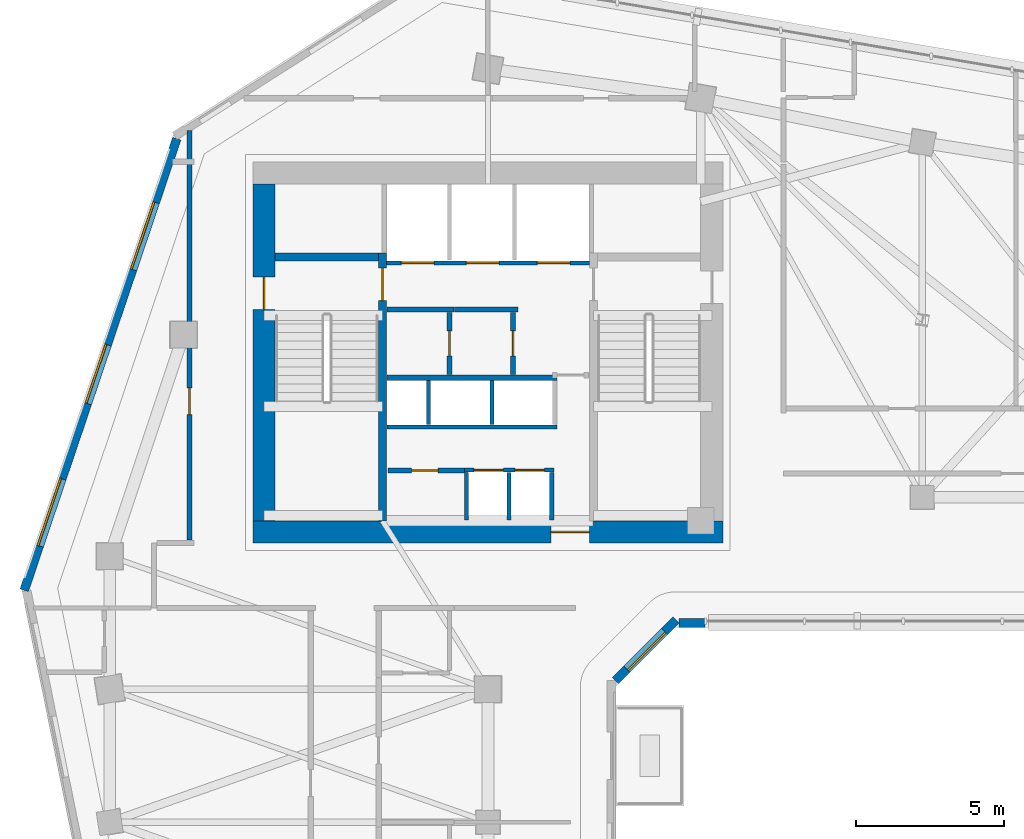
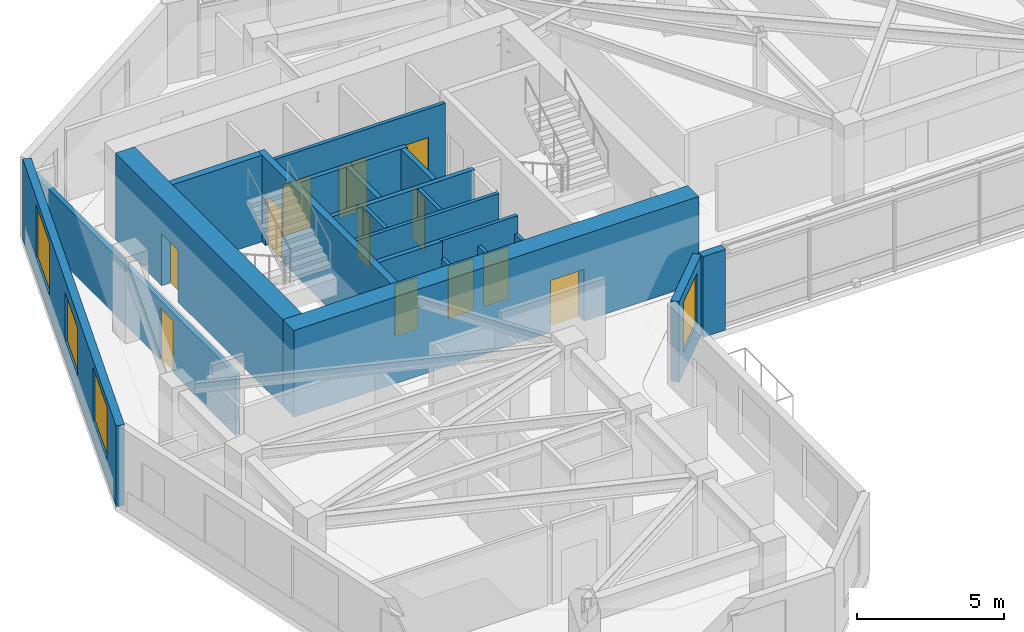
# One storey, part 5 of 10: 22 walls, 12 doors, 4 windows, 16 openings.
"""IFC4 building model written with IfcOpenShell, lengths in metres."""

from ifc_helpers import new_model, si_unit, direction, frame, frame_2d, origin, place, context, subcontext, project, spatial, rectangle, extrude, source, transform, mapped, material, layer, layer_set, type_object, element, fill, save


model = new_model("IFC4")

# Units and contexts
model_context = context("Model", 3, precision=1e-05, world=origin(), true_north=direction((0.0, 1.0)))
body_context = subcontext(model_context, "Body", "Model", "MODEL_VIEW")
ifc_project = project(units=[si_unit("LENGTHUNIT", "METRE"), si_unit("AREAUNIT", "SQUARE_METRE"), si_unit("VOLUMEUNIT", "CUBIC_METRE"), si_unit("PLANEANGLEUNIT", "RADIAN"), si_unit("MASSUNIT", "GRAM", prefix="KILO")], contexts=[model_context])

# Site, building, storey
site_placement = place(None, origin())
site = spatial("IfcSite", under=ifc_project, at=site_placement, CompositionType="ELEMENT")
building_placement = place(site_placement, origin())
building = spatial("IfcBuilding", under=site, at=building_placement, Name="Calvemar Wedge Station Tower", CompositionType="ELEMENT")
storey_placement = place(building_placement, frame((0.0, 0.0, 146.60009765625)))
storey = spatial("IfcBuildingStorey", under=building, at=storey_placement, Name="L36", CompositionType="ELEMENT", Elevation=146.60009765625)

# Wall, opening, door
ifc_material_1 = material(Name="Concrete C50", Category="concrete")
ifc_layer_1 = layer(ifc_material_1, 0.260009765625)
ifc_layer_set_1 = layer_set([ifc_layer_1], Name="Concrete C50")
wall_type_1 = type_object("IfcWallType", Name="SW-CORE-260", PredefinedType="SHEAR", material=ifc_layer_set_1)
wall_1_placement = place(storey_placement, frame((20.22998046875, 34.199951171875, 0.0), z_axis=(0.0, 0.0, 1.0), x_axis=(0.0, 1.0, 0.0)))
wall_1 = element("IfcWall", 1, at=wall_1_placement, inside=storey, type_object=wall_type_1, Name="Storey L36 Core Shear Wall SPINE-W", PredefinedType="SHEAR", context=body_context, shape_type="SweptSolid", body=[
    extrude(rectangle(XDim=9.06005859375, YDim=0.260009765625, at=frame_2d((4.530029296875, 0.0))), origin(), (0.0, 0.0, 1.0), 3.599853515625),
])
shared_shape_1 = source(origin(), body_context, "Body", "SweptSolid", [
    extrude(rectangle(XDim=1.10009765625, YDim=2.14990234375, at=frame_2d((0.550048828125, 1.074951171875))), frame((0.0, 0.14013671875, 0.0), z_axis=(0.0, -1.0, 0.0), x_axis=(1.0, 0.0, 0.0)), (0.0, 0.0, 1.0), 0.280029296875),
])
opening_1_placement = place(wall_1_placement, frame((7.449951171875, 0.0, 0.0)))
opening_1 = element("IfcOpeningElement", 2, at=opening_1_placement, cuts=wall_1, Name="Opening FD-90", PredefinedType="OPENING", context=body_context, shape_type="MappedRepresentation", body=[
    mapped(shared_shape_1, transform((0.0, 0.0, 0.0), scale=1.0)),
])
ifc_material_2 = material(Name="Galvanized fire-rated steel door leaf P-90", Category="steel")
door_type_1 = type_object("IfcDoorType", Name="DR-FD90-1100", OperationType="NOTDEFINED", PredefinedType="DOOR", material=ifc_material_2)
shared_shape_2 = source(origin(), body_context, "Body", "SweptSolid", [
    extrude(rectangle(XDim=1.10009765625, YDim=2.14990234375, at=frame_2d((0.550048828125, 1.074951171875))), frame((0.0, 0.02490234375, 0.0), z_axis=(0.0, -1.0, 0.0), x_axis=(1.0, 0.0, 0.0)), (0.0, 0.0, 1.0), 0.050048828125),
])
door_1_placement = place(opening_1_placement, origin())
door_1 = element("IfcDoor", 3, at=door_1_placement, inside=storey, type_object=door_type_1, Name="L36 FF Lobby to Stair ST-C1 Door", OperationType="SINGLE_SWING_RIGHT", OverallHeight=2.14990234375, OverallWidth=1.10009765625, PredefinedType="DOOR", context=body_context, shape_type="MappedRepresentation", body=[
    mapped(shared_shape_2, transform((0.0, 0.0, 0.0), scale=1.0)),
])
fill(opening_1, door_1)

# Wall
wall_2_placement = place(storey_placement, frame((16.60009765625, 43.1298828125, 0.0), z_axis=(0.0, 0.0, 1.0), x_axis=(1.0, 0.0, 0.0)))
element("IfcWall", 4, at=wall_2_placement, inside=storey, type_object=wall_type_1, Name="Storey L36 Core Shear Wall STC1-N", PredefinedType="SHEAR", context=body_context, shape_type="SweptSolid", body=[
    extrude(rectangle(XDim=3.5, YDim=0.260009765625, at=frame_2d((1.75, 0.0))), origin(), (0.0, 0.0, 1.0), 3.599853515625),
])

# Wall, opening, door
ifc_material_3 = material(Name="Concrete C70", Category="concrete")
ifc_layer_2 = layer(ifc_material_3, 0.75)
ifc_layer_set_2 = layer_set([ifc_layer_2], Name="Concrete C70")
wall_type_2 = type_object("IfcWallType", Name="SW-CORE-750", PredefinedType="SHEAR", material=ifc_layer_set_2)
wall_3_placement = place(storey_placement, frame((15.85009765625, 33.824951171875, 0.0), z_axis=(0.0, 0.0, 1.0), x_axis=(1.0, 0.0, 0.0)))
wall_3 = element("IfcWall", 5, at=wall_3_placement, inside=storey, type_object=wall_type_2, Name="Storey L36 Core Shear Wall S", PredefinedType="SHEAR", context=body_context, shape_type="SweptSolid", body=[
    extrude(rectangle(XDim=15.89990234375, YDim=0.75, at=frame_2d((7.949951171875, 0.0))), origin(), (0.0, 0.0, 1.0), 3.599853515625),
])
shared_shape_3 = source(origin(), body_context, "Body", "SweptSolid", [
    extrude(rectangle(XDim=1.300048828125, YDim=2.14990234375, at=frame_2d((0.64990234375, 1.074951171875))), frame((0.0, 0.385009765625, 0.0), z_axis=(0.0, -1.0, 0.0), x_axis=(1.0, 0.0, 0.0)), (0.0, 0.0, 1.0), 0.77001953125),
])
opening_2_placement = place(wall_3_placement, frame((10.080078125, 0.0, 0.0)))
opening_2 = element("IfcOpeningElement", 6, at=opening_2_placement, cuts=wall_3, Name="Opening DD-130", PredefinedType="OPENING", context=body_context, shape_type="MappedRepresentation", body=[
    mapped(shared_shape_3, transform((0.0, 0.0, 0.0), scale=1.0)),
])
ifc_material_4 = material(Name="Double-leaf lift lobby fire door EI 60")
door_type_2 = type_object("IfcDoorType", Name="DR-DBL-1300", OperationType="DOUBLE_DOOR_SINGLE_SWING", PredefinedType="DOOR", material=ifc_material_4)
shared_shape_4 = source(origin(), body_context, "Body", "SweptSolid", [
    extrude(rectangle(XDim=1.300048828125, YDim=2.14990234375, at=frame_2d((0.64990234375, 1.074951171875))), frame((0.0, 0.02490234375, 0.0), z_axis=(0.0, -1.0, 0.0), x_axis=(1.0, 0.0, 0.0)), (0.0, 0.0, 1.0), 0.050048828125),
])
door_2_placement = place(opening_2_placement, origin())
door_2 = element("IfcDoor", 7, at=door_2_placement, inside=storey, type_object=door_type_2, Name="L36 Passenger Lift Lobby Door", OperationType="DOUBLE_DOOR_SINGLE_SWING", OverallHeight=2.14990234375, OverallWidth=1.300048828125, PredefinedType="DOOR", context=body_context, shape_type="MappedRepresentation", body=[
    mapped(shared_shape_4, transform((0.0, 0.0, 0.0), scale=1.0)),
])
fill(opening_2, door_2)

wall_4_placement = place(storey_placement, frame((16.22509765625, 34.199951171875, 0.0), z_axis=(0.0, 0.0, 1.0), x_axis=(0.0, 1.0, 0.0)))
wall_4 = element("IfcWall", 8, at=wall_4_placement, inside=storey, type_object=wall_type_2, Name="Storey L36 Core Shear Wall W", PredefinedType="SHEAR", context=body_context, shape_type="SweptSolid", body=[
    extrude(rectangle(XDim=11.400146484375, YDim=0.75, at=frame_2d((5.7001953125, 0.0))), origin(), (0.0, 0.0, 1.0), 3.599853515625),
])
shared_shape_5 = source(origin(), body_context, "Body", "SweptSolid", [
    extrude(rectangle(XDim=1.10009765625, YDim=2.14990234375, at=frame_2d((0.550048828125, 1.074951171875))), frame((0.0, 0.385009765625, 0.0), z_axis=(0.0, -1.0, 0.0), x_axis=(1.0, 0.0, 0.0)), (0.0, 0.0, 1.0), 0.77001953125),
])
opening_3_placement = place(wall_4_placement, frame((7.14990234375, 0.0, 0.0)))
opening_3 = element("IfcOpeningElement", 9, at=opening_3_placement, cuts=wall_4, Name="Opening FD-90", PredefinedType="OPENING", context=body_context, shape_type="MappedRepresentation", body=[
    mapped(shared_shape_5, transform((0.0, 0.0, 0.0), scale=1.0)),
])
door_3_placement = place(opening_3_placement, origin())
door_3 = element("IfcDoor", 10, at=door_3_placement, inside=storey, type_object=door_type_1, Name="L36 West Corridor to Exit Stair ST-C1 Door", OperationType="SINGLE_SWING_RIGHT", OverallHeight=2.14990234375, OverallWidth=1.10009765625, PredefinedType="DOOR", context=body_context, shape_type="MappedRepresentation", body=[
    mapped(shared_shape_2, transform((0.0, 0.0, 0.0), scale=1.0)),
])
fill(opening_3, door_3)

# Walls
ifc_material_5 = material(Name="Double-stud fire-rated corridor partition")
ifc_layer_3 = layer(ifc_material_5, 0.179931640625)
ifc_layer_set_3 = layer_set([ifc_layer_3], Name="Double-stud fire-rated corridor partition")
wall_type_3 = type_object("IfcWallType", Name="W-CORR-180", PredefinedType="PARTITIONING", material=ifc_layer_set_3)
wall_5_placement = place(storey_placement, frame((22.659912109375, 41.35009765625, 0.0), z_axis=(0.0, 0.0, 1.0), x_axis=(-1.0, 0.0, 0.0)))
element("IfcWall", 11, at=wall_5_placement, inside=storey, type_object=wall_type_3, Name="Storey L36 Interior Partition WL-L36-001", PredefinedType="PARTITIONING", context=body_context, shape_type="SweptSolid", body=[
    extrude(rectangle(XDim=2.280029296875, YDim=0.179931640625, at=frame_2d((1.14013671875, 0.0))), origin(), (0.0, 0.0, 1.0), 3.349853515625),
])
wall_6_placement = place(storey_placement, frame((24.81005859375, 41.35009765625, 0.0), z_axis=(0.0, 0.0, 1.0), x_axis=(-1.0, 0.0, 0.0)))
element("IfcWall", 12, at=wall_6_placement, inside=storey, type_object=wall_type_3, Name="Storey L36 Interior Partition WL-L36-002", PredefinedType="PARTITIONING", context=body_context, shape_type="SweptSolid", body=[
    extrude(rectangle(XDim=2.14794921875, YDim=0.179931640625, at=frame_2d((1.073974609375, 0.0))), origin(), (0.0, 0.0, 1.0), 3.349853515625),
])

# Wall, opening, door
wall_7_placement = place(storey_placement, frame((22.5, 41.256103515625, 0.0), z_axis=(0.0, 0.0, 1.0), x_axis=(0.0, -1.0, 0.0)))
wall_7 = element("IfcWall", 13, at=wall_7_placement, inside=storey, type_object=wall_type_3, Name="Storey L36 Interior Partition WL-L36-003", PredefinedType="PARTITIONING", context=body_context, shape_type="SweptSolid", body=[
    extrude(rectangle(XDim=2.106201171875, YDim=0.179931640625, at=frame_2d((1.05322265625, 0.0))), origin(), (0.0, 0.0, 1.0), 3.349853515625),
])
shared_shape_6 = source(origin(), body_context, "Body", "SweptSolid", [
    extrude(rectangle(XDim=0.85009765625, YDim=2.14990234375, at=frame_2d((0.425048828125, 1.074951171875))), frame((0.0, 0.10009765625, 0.0), z_axis=(0.0, -1.0, 0.0), x_axis=(1.0, 0.0, 0.0)), (0.0, 0.0, 1.0), 0.199951171875),
])
opening_4_placement = place(wall_7_placement, frame((0.6279296875, 0.0, 0.0)))
opening_4 = element("IfcOpeningElement", 14, at=opening_4_placement, cuts=wall_7, Name="Opening FD-60S", PredefinedType="OPENING", context=body_context, shape_type="MappedRepresentation", body=[
    mapped(shared_shape_6, transform((0.0, 0.0, 0.0), scale=1.0)),
])
ifc_material_6 = material(Name="Fire-rated steel and hardwood service door EI 60", Category="steel")
door_type_3 = type_object("IfcDoorType", Name="DR-CORE-FD60-850", OperationType="NOTDEFINED", PredefinedType="DOOR", material=ifc_material_6)
shared_shape_7 = source(origin(), body_context, "Body", "SweptSolid", [
    extrude(rectangle(XDim=0.85009765625, YDim=2.14990234375, at=frame_2d((0.425048828125, 1.074951171875))), frame((0.0, 0.02490234375, 0.0), z_axis=(0.0, -1.0, 0.0), x_axis=(1.0, 0.0, 0.0)), (0.0, 0.0, 1.0), 0.050048828125),
])
door_4_placement = place(opening_4_placement, origin())
door_4 = element("IfcDoor", 15, at=door_4_placement, inside=storey, type_object=door_type_3, Name="L36 IT and Telecoms Room Door", OperationType="SINGLE_SWING_RIGHT", OverallHeight=2.14990234375, OverallWidth=0.85009765625, PredefinedType="DOOR", context=body_context, shape_type="MappedRepresentation", body=[
    mapped(shared_shape_7, transform((0.0, 0.0, 0.0), scale=1.0)),
])
fill(opening_4, door_4)

wall_8_placement = place(storey_placement, frame((24.64990234375, 41.256103515625, 0.0), z_axis=(0.0, 0.0, 1.0), x_axis=(0.0, -1.0, 0.0)))
wall_8 = element("IfcWall", 16, at=wall_8_placement, inside=storey, type_object=wall_type_3, Name="Storey L36 Interior Partition WL-L36-004", PredefinedType="PARTITIONING", context=body_context, shape_type="SweptSolid", body=[
    extrude(rectangle(XDim=2.106201171875, YDim=0.179931640625, at=frame_2d((1.05322265625, 0.0))), origin(), (0.0, 0.0, 1.0), 3.349853515625),
])
opening_5_placement = place(wall_8_placement, frame((0.6279296875, 0.0, 0.0)))
opening_5 = element("IfcOpeningElement", 17, at=opening_5_placement, cuts=wall_8, Name="Opening FD-60S", PredefinedType="OPENING", context=body_context, shape_type="MappedRepresentation", body=[
    mapped(shared_shape_6, transform((0.0, 0.0, 0.0), scale=1.0)),
])
door_5_placement = place(opening_5_placement, origin())
door_5 = element("IfcDoor", 18, at=door_5_placement, inside=storey, type_object=door_type_3, Name="L36 Core Equipment Store Door", OperationType="SINGLE_SWING_LEFT", OverallHeight=2.14990234375, OverallWidth=0.85009765625, PredefinedType="DOOR", context=body_context, shape_type="MappedRepresentation", body=[
    mapped(shared_shape_7, transform((0.0, 0.0, 0.0), scale=1.0)),
])
fill(opening_5, door_5)

wall_9_placement = place(storey_placement, frame((20.419921875, 35.89990234375, 0.0), z_axis=(0.0, 0.0, 1.0), x_axis=(1.0, 0.0, 0.0)))
wall_9 = element("IfcWall", 19, at=wall_9_placement, inside=storey, type_object=wall_type_3, Name="Storey L36 Interior Partition WL-L36-006", PredefinedType="PARTITIONING", context=body_context, shape_type="SweptSolid", body=[
    extrude(rectangle(XDim=2.6201171875, YDim=0.179931640625, at=frame_2d((1.31005859375, 0.0))), origin(), (0.0, 0.0, 1.0), 3.349853515625),
])
shared_shape_8 = source(origin(), body_context, "Body", "SweptSolid", [
    extrude(rectangle(XDim=0.89990234375, YDim=2.14990234375, at=frame_2d((0.449951171875, 1.074951171875))), frame((0.0, 0.10009765625, 0.0), z_axis=(0.0, -1.0, 0.0), x_axis=(1.0, 0.0, 0.0)), (0.0, 0.0, 1.0), 0.199951171875),
])
opening_6_placement = place(wall_9_placement, frame((0.795654296875, 0.0, 0.0)))
opening_6 = element("IfcOpeningElement", 20, at=opening_6_placement, cuts=wall_9, Name="Opening FD-60", PredefinedType="OPENING", context=body_context, shape_type="MappedRepresentation", body=[
    mapped(shared_shape_8, transform((0.0, 0.0, 0.0), scale=1.0)),
])
ifc_material_7 = material(Name="Fire-rated acoustic timber-core entrance door EI 60", Category="wood")
door_type_4 = type_object("IfcDoorType", Name="DR-FD60-900", OperationType="NOTDEFINED", PredefinedType="DOOR", material=ifc_material_7)
shared_shape_9 = source(origin(), body_context, "Body", "SweptSolid", [
    extrude(rectangle(XDim=0.89990234375, YDim=2.14990234375, at=frame_2d((0.449951171875, 1.074951171875))), frame((0.0, 0.02490234375, 0.0), z_axis=(0.0, -1.0, 0.0), x_axis=(1.0, 0.0, 0.0)), (0.0, 0.0, 1.0), 0.050048828125),
])
door_6_placement = place(opening_6_placement, origin())
door_6 = element("IfcDoor", 21, at=door_6_placement, inside=storey, type_object=door_type_4, Name="L36 Housekeeping Store Door", OperationType="SINGLE_SWING_LEFT", OverallHeight=2.14990234375, OverallWidth=0.89990234375, PredefinedType="DOOR", context=body_context, shape_type="MappedRepresentation", body=[
    mapped(shared_shape_9, transform((0.0, 0.0, 0.0), scale=1.0)),
])
fill(opening_6, door_6)

wall_10_placement = place(storey_placement, frame((13.699951171875, 33.5439453125, 0.0), z_axis=(0.0, 0.0, 1.0), x_axis=(0.0, 1.0, 0.0)))
wall_10 = element("IfcWall", 22, at=wall_10_placement, inside=storey, type_object=wall_type_3, Name="Storey L36 Interior Partition WL-L36-012", PredefinedType="PARTITIONING", context=body_context, shape_type="SweptSolid", body=[
    extrude(rectangle(XDim=13.860107421875, YDim=0.179931640625, at=frame_2d((6.93017578125, 0.0))), origin(), (0.0, 0.0, 1.0), 2.491943359375),
])
opening_7_placement = place(wall_10_placement, frame((4.252685546875, 0.0, 0.0)))
opening_7 = element("IfcOpeningElement", 23, at=opening_7_placement, cuts=wall_10, Name="Opening D-01", PredefinedType="OPENING", context=body_context, shape_type="MappedRepresentation", body=[
    mapped(shared_shape_8, transform((0.0, 0.0, 0.0), scale=1.0)),
])
ifc_material_8 = material(Name="Architectural hardwood acoustic swing door", Category="wood")
door_type_5 = type_object("IfcDoorType", Name="DR-INT-900", OperationType="NOTDEFINED", PredefinedType="DOOR", material=ifc_material_8)
shared_shape_10 = source(origin(), body_context, "Body", "SweptSolid", [
    extrude(rectangle(XDim=0.89990234375, YDim=2.14990234375, at=frame_2d((0.449951171875, 1.074951171875))), frame((0.0, 0.02490234375, 0.0), z_axis=(0.0, -1.0, 0.0), x_axis=(1.0, 0.0, 0.0)), (0.0, 0.0, 1.0), 0.050048828125),
])
door_7_placement = place(opening_7_placement, origin())
door_7 = element("IfcDoor", 24, at=door_7_placement, inside=storey, type_object=door_type_5, Name="L36 Executive Lounge Door", OperationType="SINGLE_SWING_RIGHT", OverallHeight=2.14990234375, OverallWidth=0.89990234375, PredefinedType="DOOR", context=body_context, shape_type="MappedRepresentation", body=[
    mapped(shared_shape_10, transform((0.0, 0.0, 0.0), scale=1.0)),
])
fill(opening_7, door_7)

# Wall, opening, window
ifc_material_9 = material(Name="Precast concrete C45", Category="concrete")
ifc_layer_4 = layer(ifc_material_9, 0.300048828125)
ifc_layer_set_4 = layer_set([ifc_layer_4], Name="Precast concrete C45")
wall_type_4 = type_object("IfcWallType", Name="W-EXT-GFRC-300", PredefinedType="SOLIDWALL", material=ifc_layer_set_4)
wall_11_placement = place(storey_placement, frame((28.115966796875, 28.7919921875, 0.0), z_axis=(0.0, 0.0, 1.0), x_axis=(0.707064797706, 0.707148762175, 0.0)))
wall_11 = element("IfcWall", 25, at=wall_11_placement, inside=storey, type_object=wall_type_4, Name="Storey L36 Bronze GFRC Exterior Wall 5", PredefinedType="SOLIDWALL", context=body_context, shape_type="SweptSolid", body=[
    extrude(rectangle(XDim=2.90771484375, YDim=0.300048828125, at=frame_2d((1.453857421875, 0.0))), origin(), (0.0, 0.0, 1.0), 3.349853515625),
])
shared_shape_11 = source(origin(), body_context, "Body", "SweptSolid", [
    extrude(rectangle(XDim=1.800048828125, YDim=2.10009765625, at=frame_2d((0.89990234375, 1.050048828125))), frame((0.0, 0.16015625, 0.0), z_axis=(0.0, -1.0, 0.0), x_axis=(1.0, 0.0, 0.0)), (0.0, 0.0, 1.0), 0.320068359375),
])
opening_8_placement = place(wall_11_placement, frame((0.553955078125, 0.0, 0.85009765625)))
opening_8 = element("IfcOpeningElement", 26, at=opening_8_placement, cuts=wall_11, Name="Opening W2", PredefinedType="OPENING", context=body_context, shape_type="MappedRepresentation", body=[
    mapped(shared_shape_11, transform((0.0, 0.0, 0.0), scale=1.0)),
])
ifc_material_10 = material(Name="Low-E laminated insulated glass", Category="glass")
window_type_1 = type_object("IfcWindowType", Name="WIN-EXT-2", PartitioningType="SINGLE_PANEL", PredefinedType="WINDOW", material=ifc_material_10)
shared_shape_12 = source(origin(), body_context, "Body", "SweptSolid", [
    extrude(rectangle(XDim=1.800048828125, YDim=2.10009765625, at=frame_2d((0.89990234375, 1.050048828125))), frame((0.0, -0.014892578125, 0.0), z_axis=(0.0, -1.0, 0.0), x_axis=(1.0, 0.0, 0.0)), (0.0, 0.0, 1.0), 0.06005859375),
])
window_1_placement = place(opening_8_placement, origin())
window_1 = element("IfcWindow", 27, at=window_1_placement, inside=storey, type_object=window_type_1, Name="Storey L36 Recessed Window 5.1", OverallHeight=2.10009765625, OverallWidth=1.800048828125, PartitioningType="SINGLE_PANEL", PredefinedType="WINDOW", context=body_context, shape_type="MappedRepresentation", body=[
    mapped(shared_shape_12, transform((0.0, 0.0, 0.0), scale=1.0)),
])
fill(opening_8, window_1)

# Wall
wall_12_placement = place(storey_placement, frame((30.260986328125, 30.741943359375, 0.0), z_axis=(0.0, 0.0, 1.0), x_axis=(1.0, 0.0, 0.0)))
element("IfcWall", 28, at=wall_12_placement, inside=storey, type_object=wall_type_4, Name="Storey L36 Bronze GFRC Corner Pier 6A", PredefinedType="SOLIDWALL", context=body_context, shape_type="SweptSolid", body=[
    extrude(rectangle(XDim=0.88232421875, YDim=0.300048828125, at=frame_2d((0.441162109375, 0.0))), origin(), (0.0, 0.0, 1.0), 3.349853515625),
])

# Wall, openings, windows
wall_13_placement = place(storey_placement, frame((13.2685546875, 47.1337890625, 0.0), z_axis=(0.0, 0.0, 1.0), x_axis=(-0.319929773322, -0.947441259468, 0.0)))
wall_13 = element("IfcWall", 29, at=wall_13_placement, inside=storey, type_object=wall_type_4, Name="Storey L36 Bronze GFRC Exterior Wall 12", PredefinedType="SOLIDWALL", context=body_context, shape_type="SweptSolid", body=[
    extrude(rectangle(XDim=16.133544921875, YDim=0.300048828125, at=frame_2d((8.06689453125, 0.0))), origin(), (0.0, 0.0, 1.0), 3.349853515625),
])
shared_shape_13 = source(origin(), body_context, "Body", "SweptSolid", [
    extrude(rectangle(XDim=2.39990234375, YDim=2.199951171875, at=frame_2d((1.199951171875, 1.10009765625))), frame((0.0, 0.16015625, 0.0), z_axis=(0.0, -1.0, 0.0), x_axis=(1.0, 0.0, 0.0)), (0.0, 0.0, 1.0), 0.320068359375),
])
opening_9_placement = place(wall_13_placement, frame((2.27587890625, 0.0, 0.85009765625)))
opening_9 = element("IfcOpeningElement", 30, at=opening_9_placement, cuts=wall_13, Name="Opening W1", PredefinedType="OPENING", context=body_context, shape_type="MappedRepresentation", body=[
    mapped(shared_shape_13, transform((0.0, 0.0, 0.0), scale=1.0)),
])
shared_shape_14 = source(origin(), body_context, "Body", "SweptSolid", [
    extrude(rectangle(XDim=2.10009765625, YDim=2.0, at=frame_2d((1.050048828125, 1.0))), frame((0.0, 0.16015625, 0.0), z_axis=(0.0, -1.0, 0.0), x_axis=(1.0, 0.0, 0.0)), (0.0, 0.0, 1.0), 0.320068359375),
])
opening_10_placement = place(wall_13_placement, frame((7.361083984375, 0.0, 0.85009765625)))
opening_10 = element("IfcOpeningElement", 31, at=opening_10_placement, cuts=wall_13, Name="Opening W4", PredefinedType="OPENING", context=body_context, shape_type="MappedRepresentation", body=[
    mapped(shared_shape_14, transform((0.0, 0.0, 0.0), scale=1.0)),
])
opening_11_placement = place(wall_13_placement, frame((12.14599609375, 0.0, 0.85009765625)))
opening_11 = element("IfcOpeningElement", 32, at=opening_11_placement, cuts=wall_13, Name="Opening W1", PredefinedType="OPENING", context=body_context, shape_type="MappedRepresentation", body=[
    mapped(shared_shape_13, transform((0.0, 0.0, 0.0), scale=1.0)),
])
window_type_2 = type_object("IfcWindowType", Name="WIN-EXT-4", PartitioningType="SINGLE_PANEL", PredefinedType="WINDOW", material=ifc_material_10)
shared_shape_15 = source(origin(), body_context, "Body", "SweptSolid", [
    extrude(rectangle(XDim=2.10009765625, YDim=2.0, at=frame_2d((1.050048828125, 1.0))), frame((0.0, -0.014892578125, 0.0), z_axis=(0.0, -1.0, 0.0), x_axis=(1.0, 0.0, 0.0)), (0.0, 0.0, 1.0), 0.06005859375),
])
window_2_placement = place(opening_10_placement, origin())
window_2 = element("IfcWindow", 33, at=window_2_placement, inside=storey, type_object=window_type_2, Name="Storey L36 Recessed Window 12.2", OverallHeight=2.0, OverallWidth=2.10009765625, PartitioningType="SINGLE_PANEL", PredefinedType="WINDOW", context=body_context, shape_type="MappedRepresentation", body=[
    mapped(shared_shape_15, transform((0.0, 0.0, 0.0), scale=1.0)),
])
fill(opening_10, window_2)
window_type_3 = type_object("IfcWindowType", Name="WIN-EXT-1", PartitioningType="SINGLE_PANEL", PredefinedType="WINDOW", material=ifc_material_10)
shared_shape_16 = source(origin(), body_context, "Body", "SweptSolid", [
    extrude(rectangle(XDim=2.39990234375, YDim=2.199951171875, at=frame_2d((1.199951171875, 1.10009765625))), frame((0.0, -0.014892578125, 0.0), z_axis=(0.0, -1.0, 0.0), x_axis=(1.0, 0.0, 0.0)), (0.0, 0.0, 1.0), 0.06005859375),
])
window_3_placement = place(opening_9_placement, origin())
window_3 = element("IfcWindow", 34, at=window_3_placement, inside=storey, type_object=window_type_3, Name="Storey L36 Recessed Window 12.1", OverallHeight=2.199951171875, OverallWidth=2.39990234375, PartitioningType="SINGLE_PANEL", PredefinedType="WINDOW", context=body_context, shape_type="MappedRepresentation", body=[
    mapped(shared_shape_16, transform((0.0, 0.0, 0.0), scale=1.0)),
])
fill(opening_9, window_3)
window_4_placement = place(opening_11_placement, origin())
window_4 = element("IfcWindow", 35, at=window_4_placement, inside=storey, type_object=window_type_3, Name="Storey L36 Recessed Window 12.3", OverallHeight=2.199951171875, OverallWidth=2.39990234375, PartitioningType="SINGLE_PANEL", PredefinedType="WINDOW", context=body_context, shape_type="MappedRepresentation", body=[
    mapped(shared_shape_16, transform((0.0, 0.0, 0.0), scale=1.0)),
])
fill(opening_11, window_4)

# Wall, openings, doors
ifc_material_11 = material(Name="Reinforced concrete blockwork lift shaft wall", Category="masonry")
ifc_layer_5 = layer(ifc_material_11, 0.139892578125)
ifc_layer_set_5 = layer_set([ifc_layer_5], Name="Reinforced concrete blockwork lift shaft wall")
wall_type_5 = type_object("IfcWallType", Name="W-LIFT-160", PredefinedType="SOLIDWALL", material=ifc_layer_set_5)
wall_14_placement = place(storey_placement, frame((20.3701171875, 42.929931640625, 0.0), z_axis=(0.0, 0.0, 1.0), x_axis=(1.0, 0.0, 0.0)))
wall_14 = element("IfcWall", 36, at=wall_14_placement, inside=storey, type_object=wall_type_5, Name="Storey L36 Firefighting and Service Lift Shaft Front Wall", PredefinedType="SOLIDWALL", context=body_context, shape_type="SweptSolid", body=[
    extrude(rectangle(XDim=6.85986328125, YDim=0.139892578125, at=frame_2d((3.429931640625, 0.0))), origin(), (0.0, 0.0, 1.0), 3.349853515625),
])
shared_shape_17 = source(origin(), body_context, "Body", "SweptSolid", [
    extrude(rectangle(XDim=1.10009765625, YDim=2.14990234375, at=frame_2d((0.550048828125, 1.074951171875))), frame((0.0, 0.080078125, 0.0), z_axis=(0.0, -1.0, 0.0), x_axis=(1.0, 0.0, 0.0)), (0.0, 0.0, 1.0), 0.159912109375),
])
opening_12_placement = place(wall_14_placement, frame((0.5, 0.0, 0.0)))
opening_12 = element("IfcOpeningElement", 37, at=opening_12_placement, cuts=wall_14, Name="Opening LD-FF", PredefinedType="OPENING", context=body_context, shape_type="MappedRepresentation", body=[
    mapped(shared_shape_17, transform((0.0, 0.0, 0.0), scale=1.0)),
])
opening_13_placement = place(wall_14_placement, frame((2.699951171875, 0.0, 0.0)))
opening_13 = element("IfcOpeningElement", 38, at=opening_13_placement, cuts=wall_14, Name="Opening LD-FF", PredefinedType="OPENING", context=body_context, shape_type="MappedRepresentation", body=[
    mapped(shared_shape_17, transform((0.0, 0.0, 0.0), scale=1.0)),
])
opening_14_placement = place(wall_14_placement, frame((5.10009765625, 0.0, 0.0)))
opening_14 = element("IfcOpeningElement", 39, at=opening_14_placement, cuts=wall_14, Name="Opening LD-STN", PredefinedType="OPENING", context=body_context, shape_type="MappedRepresentation", body=[
    mapped(shared_shape_17, transform((0.0, 0.0, 0.0), scale=1.0)),
])
ifc_material_12 = material(Name="Stainless steel firefighting lift sliding landing door", Category="steel")
door_type_6 = type_object("IfcDoorType", Name="DR-LD-FF-1100", OperationType="SLIDING_TO_LEFT", PredefinedType="DOOR", material=ifc_material_12)
shared_shape_18 = source(origin(), body_context, "Body", "SweptSolid", [
    extrude(rectangle(XDim=1.10009765625, YDim=2.14990234375, at=frame_2d((0.550048828125, 1.074951171875))), frame((0.0, 0.02490234375, 0.0), z_axis=(0.0, -1.0, 0.0), x_axis=(1.0, 0.0, 0.0)), (0.0, 0.0, 1.0), 0.050048828125),
])
door_8_placement = place(opening_12_placement, origin())
door_8 = element("IfcDoor", 40, at=door_8_placement, inside=storey, type_object=door_type_6, Name="L36 Lift FF-01 Sliding Landing Door", OperationType="SLIDING_TO_LEFT", OverallHeight=2.14990234375, OverallWidth=1.10009765625, PredefinedType="DOOR", context=body_context, shape_type="MappedRepresentation", body=[
    mapped(shared_shape_18, transform((0.0, 0.0, 0.0), scale=1.0)),
])
fill(opening_12, door_8)
door_9_placement = place(opening_13_placement, origin())
door_9 = element("IfcDoor", 41, at=door_9_placement, inside=storey, type_object=door_type_6, Name="L36 Lift FF-02 Sliding Landing Door", OperationType="SLIDING_TO_RIGHT", OverallHeight=2.14990234375, OverallWidth=1.10009765625, PredefinedType="DOOR", context=body_context, shape_type="MappedRepresentation", body=[
    mapped(shared_shape_18, transform((0.0, 0.0, 0.0), scale=1.0)),
])
fill(opening_13, door_9)
ifc_material_13 = material(Name="Stainless steel transit lift sliding landing door", Category="steel")
door_type_7 = type_object("IfcDoorType", Name="DR-LD-PAX-1100", OperationType="SLIDING_TO_LEFT", PredefinedType="DOOR", material=ifc_material_13)
shared_shape_19 = source(origin(), body_context, "Body", "SweptSolid", [
    extrude(rectangle(XDim=1.10009765625, YDim=2.14990234375, at=frame_2d((0.550048828125, 1.074951171875))), frame((0.0, 0.02490234375, 0.0), z_axis=(0.0, -1.0, 0.0), x_axis=(1.0, 0.0, 0.0)), (0.0, 0.0, 1.0), 0.050048828125),
])
door_10_placement = place(opening_14_placement, origin())
door_10 = element("IfcDoor", 42, at=door_10_placement, inside=storey, type_object=door_type_7, Name="L36 Lift SV-01 Sliding Landing Door", OperationType="SLIDING_TO_LEFT", OverallHeight=2.14990234375, OverallWidth=1.10009765625, PredefinedType="DOOR", context=body_context, shape_type="MappedRepresentation", body=[
    mapped(shared_shape_19, transform((0.0, 0.0, 0.0), scale=1.0)),
])
fill(opening_14, door_10)

wall_15_placement = place(storey_placement, frame((23.0, 35.919921875, 0.0), z_axis=(0.0, 0.0, 1.0), x_axis=(1.0, 0.0, 0.0)))
wall_15 = element("IfcWall", 43, at=wall_15_placement, inside=storey, type_object=wall_type_5, Name="Storey L36 South Passenger Lift Bank Front Wall", PredefinedType="SOLIDWALL", context=body_context, shape_type="SweptSolid", body=[
    extrude(rectangle(XDim=3.030029296875, YDim=0.139892578125, at=frame_2d((1.51513671875, 0.0))), origin(), (0.0, 0.0, 1.0), 3.349853515625),
])
shared_shape_20 = source(origin(), body_context, "Body", "SweptSolid", [
    extrude(rectangle(XDim=1.0, YDim=2.14990234375, at=frame_2d((0.5, 1.074951171875))), frame((0.0, 0.080078125, 0.0), z_axis=(0.0, -1.0, 0.0), x_axis=(1.0, 0.0, 0.0)), (0.0, 0.0, 1.0), 0.159912109375),
])
opening_15_placement = place(wall_15_placement, frame((0.320068359375, 0.0, 0.0)))
opening_15 = element("IfcOpeningElement", 44, at=opening_15_placement, cuts=wall_15, Name="Opening LD-PAX", PredefinedType="OPENING", context=body_context, shape_type="MappedRepresentation", body=[
    mapped(shared_shape_20, transform((0.0, 0.0, 0.0), scale=1.0)),
])
opening_16_placement = place(wall_15_placement, frame((1.7099609375, 0.0, 0.0)))
opening_16 = element("IfcOpeningElement", 45, at=opening_16_placement, cuts=wall_15, Name="Opening LD-PAX", PredefinedType="OPENING", context=body_context, shape_type="MappedRepresentation", body=[
    mapped(shared_shape_20, transform((0.0, 0.0, 0.0), scale=1.0)),
])
ifc_material_14 = material(Name="Anodised bronze passenger lift sliding landing door")
door_type_8 = type_object("IfcDoorType", Name="DR-LD-PAX-1000", OperationType="SLIDING_TO_LEFT", PredefinedType="DOOR", material=ifc_material_14)
shared_shape_21 = source(origin(), body_context, "Body", "SweptSolid", [
    extrude(rectangle(XDim=1.0, YDim=2.14990234375, at=frame_2d((0.5, 1.074951171875))), frame((0.0, 0.02490234375, 0.0), z_axis=(0.0, -1.0, 0.0), x_axis=(1.0, 0.0, 0.0)), (0.0, 0.0, 1.0), 0.050048828125),
])
door_11_placement = place(opening_15_placement, origin())
door_11 = element("IfcDoor", 46, at=door_11_placement, inside=storey, type_object=door_type_8, Name="L36 Lift HL-01 Sliding Landing Door", OperationType="SLIDING_TO_LEFT", OverallHeight=2.14990234375, OverallWidth=1.0, PredefinedType="DOOR", context=body_context, shape_type="MappedRepresentation", body=[
    mapped(shared_shape_21, transform((0.0, 0.0, 0.0), scale=1.0)),
])
fill(opening_15, door_11)
door_12_placement = place(opening_16_placement, origin())
door_12 = element("IfcDoor", 47, at=door_12_placement, inside=storey, type_object=door_type_8, Name="L36 Lift HL-02 Sliding Landing Door", OperationType="SLIDING_TO_RIGHT", OverallHeight=2.14990234375, OverallWidth=1.0, PredefinedType="DOOR", context=body_context, shape_type="MappedRepresentation", body=[
    mapped(shared_shape_21, transform((0.0, 0.0, 0.0), scale=1.0)),
])
fill(opening_16, door_12)

# Walls
for number, where, z_axis, x_axis, name in (
    (48, (25.9599609375, 34.219970703125, 0.0), (0.0, 0.0, 1.0), (0.0, 1.0, 0.0), "Storey L36 South Passenger Lift Shaft Wall E"),
    (49, (23.070068359375, 34.219970703125, 0.0), (0.0, 0.0, 1.0), (0.0, 1.0, 0.0), "Storey L36 South Passenger Lift Shaft Wall W"),
    (50, (24.514892578125, 34.219970703125, 0.0), (0.0, 0.0, 1.0), (0.0, 1.0, 0.0), "Storey L36 South Passenger Lift Shaft Wall D1"),
):
    element("IfcWall", number, at=place(storey_placement, frame(where, z_axis=z_axis, x_axis=x_axis)), inside=storey, type_object=wall_type_5, Name=name, PredefinedType="SOLIDWALL", context=body_context, shape_type="SweptSolid", body=[
        extrude(rectangle(XDim=1.6201171875, YDim=0.139892578125, at=frame_2d((0.81005859375, 0.0))), origin(), (0.0, 0.0, 1.0), 2.641845703125),
    ])
wall_16_placement = place(storey_placement, frame((20.3798828125, 37.3798828125, 0.0), z_axis=(0.0, 0.0, 1.0), x_axis=(1.0, 0.0, 0.0)))
element("IfcWall", 51, at=wall_16_placement, inside=storey, type_object=wall_type_5, Name="Storey L36 Upper Passenger Lift Bank Front Wall", PredefinedType="SOLIDWALL", context=body_context, shape_type="SweptSolid", body=[
    extrude(rectangle(XDim=5.75, YDim=0.139892578125, at=frame_2d((2.875, 0.0))), origin(), (0.0, 0.0, 1.0), 3.349853515625),
])
for number, where, z_axis, x_axis, name in (
    (52, (21.794921875, 37.4599609375, 0.0), (0.0, 0.0, 1.0), (0.0, 1.0, 0.0), "Storey L36 Upper Passenger Lift Shaft Wall D1"),
    (53, (23.93505859375, 37.4599609375, 0.0), (0.0, 0.0, 1.0), (0.0, 1.0, 0.0), "Storey L36 Upper Passenger Lift Shaft Wall D2"),
):
    element("IfcWall", number, at=place(storey_placement, frame(where, z_axis=z_axis, x_axis=x_axis)), inside=storey, type_object=wall_type_5, Name=name, PredefinedType="SOLIDWALL", context=body_context, shape_type="SweptSolid", body=[
        extrude(rectangle(XDim=1.47998046875, YDim=0.139892578125, at=frame_2d((0.739990234375, 0.0))), origin(), (0.0, 0.0, 1.0), 3.349853515625),
    ])
ifc_material_15 = material(Name="Concrete blockwork and fireboard shaft wall", Category="masonry")
ifc_layer_6 = layer(ifc_material_15, 0.199951171875)
ifc_layer_set_6 = layer_set([ifc_layer_6], Name="Concrete blockwork and fireboard shaft wall")
wall_type_6 = type_object("IfcWallType", Name="W-SHAFT-200", PredefinedType="SOLIDWALL", material=ifc_layer_set_6)
wall_17_placement = place(storey_placement, frame((20.3798828125, 39.0400390625, 0.0), z_axis=(0.0, 0.0, 1.0), x_axis=(1.0, 0.0, 0.0)))
element("IfcWall", 54, at=wall_17_placement, inside=storey, type_object=wall_type_6, Name="Storey L36 Upper Passenger Lift Bank Rear Shaft Wall", PredefinedType="SOLIDWALL", context=body_context, shape_type="SweptSolid", body=[
    extrude(rectangle(XDim=5.75, YDim=0.179931640625, at=frame_2d((2.875, 0.0))), origin(), (0.0, 0.0, 1.0), 3.349853515625),
])

save(model, "model.ifc")
